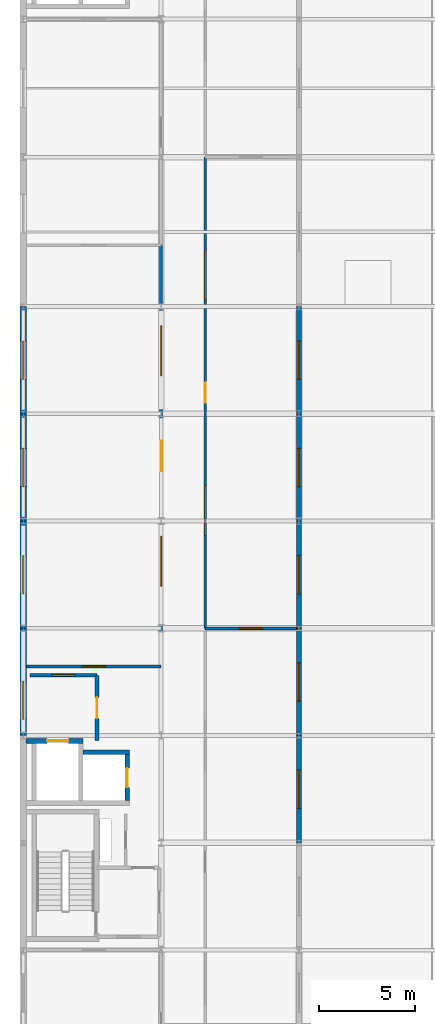
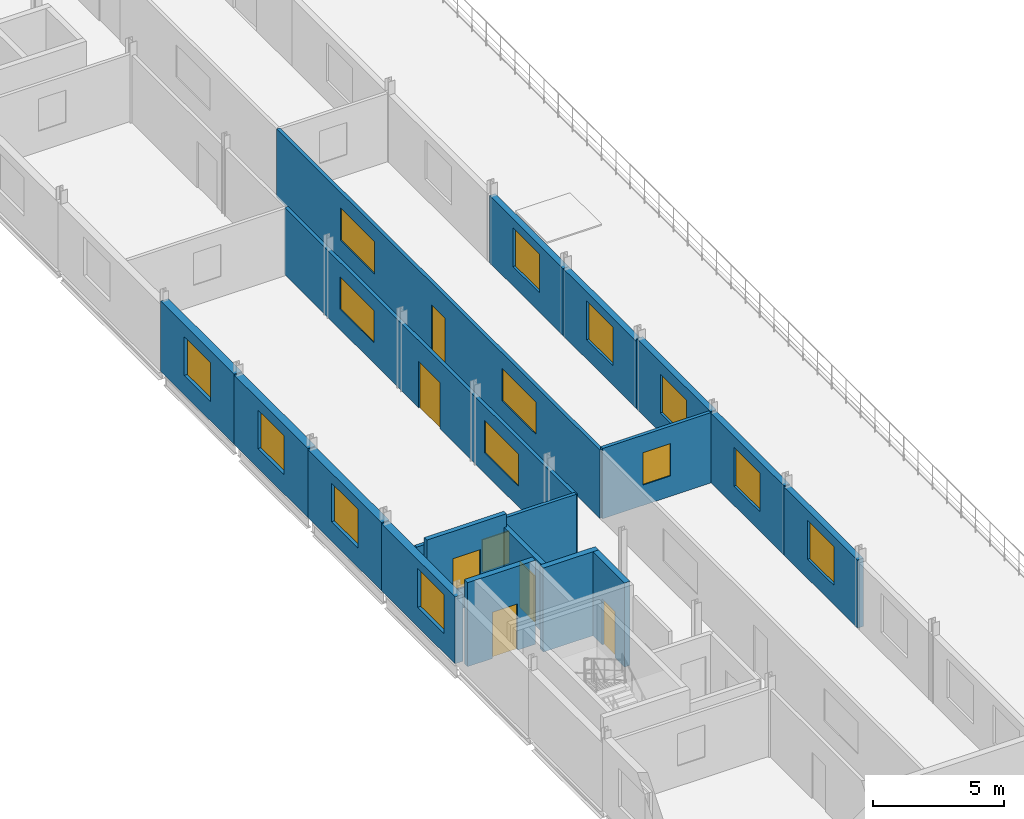
# One storey, part 8 of 14: 18 walls, 16 windows, 5 doors, 21 openings.
"""IFC4 building model written with IfcOpenShell, lengths in metres."""

from ifc_helpers import new_model, si_unit, direction, frame, frame_2d, origin, place, context, subcontext, project, spatial, rectangle, extrude, material, layer, layer_set, type_object, element, fill, save


model = new_model("IFC4")

# Units and contexts
model_context = context("Model", 3, precision=1e-05, world=origin(), true_north=direction((0.0, 1.0)))
body_context = subcontext(model_context, "Body", "Model", "MODEL_VIEW")
ifc_project = project(units=[si_unit("LENGTHUNIT", "METRE"), si_unit("AREAUNIT", "SQUARE_METRE"), si_unit("VOLUMEUNIT", "CUBIC_METRE"), si_unit("PLANEANGLEUNIT", "RADIAN"), si_unit("MASSUNIT", "GRAM", prefix="KILO")], contexts=[model_context])

# Site, building, storey
site_placement = place(None, origin())
site = spatial("IfcSite", under=ifc_project, at=site_placement, CompositionType="ELEMENT")
building_placement = place(site_placement, origin())
building = spatial("IfcBuilding", under=site, at=building_placement, Name="Vinh Khe Railworks Police Headquarters", CompositionType="ELEMENT")
storey_placement = place(building_placement, frame((0.0, 0.0, 32.699951171875)))
storey = spatial("IfcBuildingStorey", under=building, at=storey_placement, Name="L08", CompositionType="ELEMENT", Elevation=32.699951171875)

# Wall, opening, door
ifc_material_1 = material(Name="Concrete C40/50 (B40)", Category="concrete")
ifc_layer_1 = layer(ifc_material_1, 0.25)
ifc_layer_set_1 = layer_set([ifc_layer_1], Name="Concrete C40/50 (B40)")
wall_type_1 = type_object("IfcWallType", Name="Core Shear Wall 250", PredefinedType="SHEAR", material=ifc_layer_set_1)
wall_1_placement = place(storey_placement, frame((0.75, 36.125, 0.0), z_axis=(0.0, 0.0, 1.0), x_axis=(1.0, 0.0, 0.0)))
wall_1 = element("IfcWall", 1, at=wall_1_placement, inside=storey, type_object=wall_type_1, Name="Core C1 FL-N Lift Shaft Wall (L08)", PredefinedType="SHEAR", context=body_context, shape_type="SweptSolid", body=[
    extrude(rectangle(XDim=2.97509765625, YDim=0.25, at=frame_2d((1.487548828125, 0.0))), origin(), (0.0, 0.0, 1.0), 3.900146484375),
])
opening_1_placement = place(wall_1_placement, frame((1.10009765625, 0.0, 0.0)))
opening_1 = element("IfcOpeningElement", 2, at=opening_1_placement, cuts=wall_1, Name="Opening LD-01", PredefinedType="OPENING", context=body_context, shape_type="SweptSolid", body=[
    extrude(rectangle(XDim=1.10009765625, YDim=2.14990234375, at=frame_2d((0.550048828125, 1.074951171875))), frame((0.0, 0.139892578125, 0.0), z_axis=(0.0, -1.0, 0.0), x_axis=(1.0, 0.0, 0.0)), (0.0, 0.0, 1.0), 0.27978515625),
])
ifc_material_2 = material(Name="Painted galvanised steel", Category="steel")
door_type_1 = type_object("IfcDoorType", Name="LD-FF-1100", OperationType="SLIDING_TO_LEFT", PredefinedType="DOOR", material=ifc_material_2)
door_1_placement = place(opening_1_placement, origin())
door_1 = element("IfcDoor", 3, at=door_1_placement, inside=storey, type_object=door_type_1, Name="Firefighting Lift Landing Door FL-01 L08", OperationType="SLIDING_TO_LEFT", OverallHeight=2.14990234375, OverallWidth=1.10009765625, PredefinedType="DOOR", context=body_context, shape_type="SweptSolid", body=[
    extrude(rectangle(XDim=1.10009765625, YDim=2.14990234375, at=frame_2d((0.550048828125, 1.074951171875))), frame((0.0, 0.02490234375, 0.0), z_axis=(0.0, -1.0, 0.0), x_axis=(1.0, 0.0, 0.0)), (0.0, 0.0, 1.0), 0.050048828125),
])
fill(opening_1, door_1)

# Wall
wall_2_placement = place(storey_placement, frame((3.72509765625, 35.52490234375, 0.0), z_axis=(0.0, 0.0, 1.0), x_axis=(1.0, 0.0, 0.0)))
element("IfcWall", 4, at=wall_2_placement, inside=storey, type_object=wall_type_1, Name="Core C1 PL-N Lift Shaft Wall (L08)", PredefinedType="SHEAR", context=body_context, shape_type="SweptSolid", body=[
    extrude(rectangle(XDim=2.4248046875, YDim=0.25, at=frame_2d((1.21240234375, 0.0))), origin(), (0.0, 0.0, 1.0), 3.900146484375),
])

# Wall, opening, door
wall_3_placement = place(storey_placement, frame((6.02490234375, 33.0, 0.0), z_axis=(0.0, 0.0, 1.0), x_axis=(0.0, 1.0, 0.0)))
wall_3 = element("IfcWall", 5, at=wall_3_placement, inside=storey, type_object=wall_type_1, Name="Core C1 PL-E Lift Shaft Wall (L08)", PredefinedType="SHEAR", context=body_context, shape_type="SweptSolid", body=[
    extrude(rectangle(XDim=2.39990234375, YDim=0.25, at=frame_2d((1.199951171875, 0.0))), origin(), (0.0, 0.0, 1.0), 3.900146484375),
])
opening_2_placement = place(wall_3_placement, frame((0.699951171875, 0.0, 0.0)))
opening_2 = element("IfcOpeningElement", 6, at=opening_2_placement, cuts=wall_3, Name="Opening LD-02", PredefinedType="OPENING", context=body_context, shape_type="SweptSolid", body=[
    extrude(rectangle(XDim=1.0, YDim=2.14990234375, at=frame_2d((0.5, 1.074951171875))), frame((0.0, 0.139892578125, 0.0), z_axis=(0.0, -1.0, 0.0), x_axis=(1.0, 0.0, 0.0)), (0.0, 0.0, 1.0), 0.27978515625),
])
door_type_2 = type_object("IfcDoorType", Name="LD-PAX-1000", OperationType="SLIDING_TO_RIGHT", PredefinedType="DOOR", material=ifc_material_2)
door_2_placement = place(opening_2_placement, frame((1.0, 0.0, 0.0), z_axis=(0.0, 0.0, 1.0), x_axis=(-1.0, 0.0, 0.0)))
door_2 = element("IfcDoor", 7, at=door_2_placement, inside=storey, type_object=door_type_2, Name="Passenger Lift Landing Door PL-01 L08", OperationType="SLIDING_TO_RIGHT", OverallHeight=2.14990234375, OverallWidth=1.0, PredefinedType="DOOR", context=body_context, shape_type="SweptSolid", body=[
    extrude(rectangle(XDim=1.0, YDim=2.14990234375, at=frame_2d((0.5, 1.074951171875))), frame((0.0, 0.02490234375, 0.0), z_axis=(0.0, -1.0, 0.0), x_axis=(1.0, 0.0, 0.0)), (0.0, 0.0, 1.0), 0.050048828125),
])
fill(opening_2, door_2)

# Wall, opening, window
ifc_material_3 = material(Name="Clay brickwork", Category="masonry")
ifc_layer_2 = layer(ifc_material_3, 0.260009765625)
ifc_layer_set_2 = layer_set([ifc_layer_2], Name="Clay brickwork")
wall_type_2 = type_object("IfcWallType", Name="EW-BRK-260", PredefinedType="SOLIDWALL", material=ifc_layer_set_2)
wall_4_placement = place(storey_placement, frame((15.0, 30.800048828125, 0.0), z_axis=(0.0, 0.0, 1.0), x_axis=(0.0, 1.0, 0.0)))
wall_4 = element("IfcWall", 8, at=wall_4_placement, inside=storey, type_object=wall_type_2, Name="Exterior Brick Wall EW-L08-V5E-03", PredefinedType="SOLIDWALL", context=body_context, shape_type="SweptSolid", body=[
    extrude(rectangle(XDim=5.599853515625, YDim=0.260009765625, at=frame_2d((2.7998046875, 0.0))), origin(), (0.0, 0.0, 1.0), 3.1650390625),
])
opening_3_placement = place(wall_4_placement, frame((1.800048828125, 0.0, 0.89990234375)))
opening_3 = element("IfcOpeningElement", 9, at=opening_3_placement, cuts=wall_4, Name="Opening WN-04", PredefinedType="OPENING", context=body_context, shape_type="SweptSolid", body=[
    extrude(rectangle(XDim=2.0, YDim=1.800048828125, at=frame_2d((1.0, 0.89990234375))), frame((0.0, 0.14501953125, 0.0), z_axis=(0.0, -1.0, 0.0), x_axis=(1.0, 0.0, 0.0)), (0.0, 0.0, 1.0), 0.289794921875),
])
ifc_material_4 = material(Name="Double-glazed solar-control glass in dark steel frame", Category="steel")
window_type_1 = type_object("IfcWindowType", Name="WIN-WN-04", PartitioningType="DOUBLE_PANEL_VERTICAL", PredefinedType="WINDOW", material=ifc_material_4)
window_1_placement = place(opening_3_placement, origin())
window_1 = element("IfcWindow", 10, at=window_1_placement, inside=storey, type_object=window_type_1, Name="Casement Window WN-04", OverallHeight=1.800048828125, OverallWidth=2.0, PartitioningType="SINGLE_PANEL", PredefinedType="WINDOW", context=body_context, shape_type="SweptSolid", body=[
    extrude(rectangle(XDim=2.0, YDim=1.800048828125, at=frame_2d((1.0, 0.89990234375))), frame((0.0, 0.030029296875, 0.0), z_axis=(0.0, -1.0, 0.0), x_axis=(1.0, 0.0, 0.0)), (0.0, 0.0, 1.0), 0.06005859375),
])
fill(opening_3, window_1)

wall_5_placement = place(storey_placement, frame((15.0, 36.39990234375, 0.0), z_axis=(0.0, 0.0, 1.0), x_axis=(0.0, 1.0, 0.0)))
wall_5 = element("IfcWall", 11, at=wall_5_placement, inside=storey, type_object=wall_type_2, Name="Exterior Brick Wall EW-L08-V5E-04", PredefinedType="SOLIDWALL", context=body_context, shape_type="SweptSolid", body=[
    extrude(rectangle(XDim=5.60009765625, YDim=0.260009765625, at=frame_2d((2.800048828125, 0.0))), origin(), (0.0, 0.0, 1.0), 3.215087890625),
])
opening_4_placement = place(wall_5_placement, frame((1.800048828125, 0.0, 0.89990234375)))
opening_4 = element("IfcOpeningElement", 12, at=opening_4_placement, cuts=wall_5, Name="Opening WN-04", PredefinedType="OPENING", context=body_context, shape_type="SweptSolid", body=[
    extrude(rectangle(XDim=2.0, YDim=1.800048828125, at=frame_2d((1.0, 0.89990234375))), frame((0.0, 0.14501953125, 0.0), z_axis=(0.0, -1.0, 0.0), x_axis=(1.0, 0.0, 0.0)), (0.0, 0.0, 1.0), 0.289794921875),
])
window_2_placement = place(opening_4_placement, origin())
window_2 = element("IfcWindow", 13, at=window_2_placement, inside=storey, type_object=window_type_1, Name="Casement Window WN-04", OverallHeight=1.800048828125, OverallWidth=2.0, PartitioningType="SINGLE_PANEL", PredefinedType="WINDOW", context=body_context, shape_type="SweptSolid", body=[
    extrude(rectangle(XDim=2.0, YDim=1.800048828125, at=frame_2d((1.0, 0.89990234375))), frame((0.0, 0.030029296875, 0.0), z_axis=(0.0, -1.0, 0.0), x_axis=(1.0, 0.0, 0.0)), (0.0, 0.0, 1.0), 0.06005859375),
])
fill(opening_4, window_2)

wall_6_placement = place(storey_placement, frame((15.0, 42.0, 0.0), z_axis=(0.0, 0.0, 1.0), x_axis=(0.0, 1.0, 0.0)))
wall_6 = element("IfcWall", 14, at=wall_6_placement, inside=storey, type_object=wall_type_2, Name="Exterior Brick Wall EW-L08-V5E-05", PredefinedType="SOLIDWALL", context=body_context, shape_type="SweptSolid", body=[
    extrude(rectangle(XDim=5.60009765625, YDim=0.260009765625, at=frame_2d((2.800048828125, 0.0))), origin(), (0.0, 0.0, 1.0), 3.26513671875),
])
opening_5_placement = place(wall_6_placement, frame((1.800048828125, 0.0, 0.89990234375)))
opening_5 = element("IfcOpeningElement", 15, at=opening_5_placement, cuts=wall_6, Name="Opening WN-04", PredefinedType="OPENING", context=body_context, shape_type="SweptSolid", body=[
    extrude(rectangle(XDim=2.0, YDim=1.800048828125, at=frame_2d((1.0, 0.89990234375))), frame((0.0, 0.14501953125, 0.0), z_axis=(0.0, -1.0, 0.0), x_axis=(1.0, 0.0, 0.0)), (0.0, 0.0, 1.0), 0.289794921875),
])
window_3_placement = place(opening_5_placement, origin())
window_3 = element("IfcWindow", 16, at=window_3_placement, inside=storey, type_object=window_type_1, Name="Casement Window WN-04", OverallHeight=1.800048828125, OverallWidth=2.0, PartitioningType="SINGLE_PANEL", PredefinedType="WINDOW", context=body_context, shape_type="SweptSolid", body=[
    extrude(rectangle(XDim=2.0, YDim=1.800048828125, at=frame_2d((1.0, 0.89990234375))), frame((0.0, 0.030029296875, 0.0), z_axis=(0.0, -1.0, 0.0), x_axis=(1.0, 0.0, 0.0)), (0.0, 0.0, 1.0), 0.06005859375),
])
fill(opening_5, window_3)

wall_7_placement = place(storey_placement, frame((15.0, 47.60009765625, 0.0), z_axis=(0.0, 0.0, 1.0), x_axis=(0.0, 1.0, 0.0)))
wall_7 = element("IfcWall", 17, at=wall_7_placement, inside=storey, type_object=wall_type_2, Name="Exterior Brick Wall EW-L08-V5E-06", PredefinedType="SOLIDWALL", context=body_context, shape_type="SweptSolid", body=[
    extrude(rectangle(XDim=5.599853515625, YDim=0.260009765625, at=frame_2d((2.7998046875, 0.0))), origin(), (0.0, 0.0, 1.0), 3.114990234375),
])
opening_6_placement = place(wall_7_placement, frame((1.800048828125, 0.0, 0.89990234375)))
opening_6 = element("IfcOpeningElement", 18, at=opening_6_placement, cuts=wall_7, Name="Opening WN-04", PredefinedType="OPENING", context=body_context, shape_type="SweptSolid", body=[
    extrude(rectangle(XDim=2.0, YDim=1.800048828125, at=frame_2d((1.0, 0.89990234375))), frame((0.0, 0.14501953125, 0.0), z_axis=(0.0, -1.0, 0.0), x_axis=(1.0, 0.0, 0.0)), (0.0, 0.0, 1.0), 0.289794921875),
])
window_4_placement = place(opening_6_placement, origin())
window_4 = element("IfcWindow", 19, at=window_4_placement, inside=storey, type_object=window_type_1, Name="Casement Window WN-04", OverallHeight=1.800048828125, OverallWidth=2.0, PartitioningType="SINGLE_PANEL", PredefinedType="WINDOW", context=body_context, shape_type="SweptSolid", body=[
    extrude(rectangle(XDim=2.0, YDim=1.800048828125, at=frame_2d((1.0, 0.89990234375))), frame((0.0, 0.030029296875, 0.0), z_axis=(0.0, -1.0, 0.0), x_axis=(1.0, 0.0, 0.0)), (0.0, 0.0, 1.0), 0.06005859375),
])
fill(opening_6, window_4)

wall_8_placement = place(storey_placement, frame((15.0, 53.199951171875, 0.0), z_axis=(0.0, 0.0, 1.0), x_axis=(0.0, 1.0, 0.0)))
wall_8 = element("IfcWall", 20, at=wall_8_placement, inside=storey, type_object=wall_type_2, Name="Exterior Brick Wall EW-L08-V5E-07", PredefinedType="SOLIDWALL", context=body_context, shape_type="SweptSolid", body=[
    extrude(rectangle(XDim=5.60009765625, YDim=0.260009765625, at=frame_2d((2.800048828125, 0.0))), origin(), (0.0, 0.0, 1.0), 3.114990234375),
])
opening_7_placement = place(wall_8_placement, frame((1.800048828125, 0.0, 0.89990234375)))
opening_7 = element("IfcOpeningElement", 21, at=opening_7_placement, cuts=wall_8, Name="Opening WN-04", PredefinedType="OPENING", context=body_context, shape_type="SweptSolid", body=[
    extrude(rectangle(XDim=2.0, YDim=1.800048828125, at=frame_2d((1.0, 0.89990234375))), frame((0.0, 0.14501953125, 0.0), z_axis=(0.0, -1.0, 0.0), x_axis=(1.0, 0.0, 0.0)), (0.0, 0.0, 1.0), 0.289794921875),
])
window_5_placement = place(opening_7_placement, origin())
window_5 = element("IfcWindow", 22, at=window_5_placement, inside=storey, type_object=window_type_1, Name="Casement Window WN-04", OverallHeight=1.800048828125, OverallWidth=2.0, PartitioningType="SINGLE_PANEL", PredefinedType="WINDOW", context=body_context, shape_type="SweptSolid", body=[
    extrude(rectangle(XDim=2.0, YDim=1.800048828125, at=frame_2d((1.0, 0.89990234375))), frame((0.0, 0.030029296875, 0.0), z_axis=(0.0, -1.0, 0.0), x_axis=(1.0, 0.0, 0.0)), (0.0, 0.0, 1.0), 0.06005859375),
])
fill(opening_7, window_5)

ifc_layer_3 = layer(ifc_material_3, 0.340087890625)
ifc_layer_set_3 = layer_set([ifc_layer_3], Name="Clay brickwork")
wall_type_3 = type_object("IfcWallType", Name="EW-BRK-340", PredefinedType="SOLIDWALL", material=ifc_layer_set_3)
wall_9_placement = place(storey_placement, frame((0.60009765625, 36.39990234375, 0.0), z_axis=(0.0, 0.0, 1.0), x_axis=(0.0, 1.0, 0.0)))
wall_9 = element("IfcWall", 23, at=wall_9_placement, inside=storey, type_object=wall_type_3, Name="Exterior Brick Wall EW-L08-V5W-04", PredefinedType="SOLIDWALL", context=body_context, shape_type="SweptSolid", body=[
    extrude(rectangle(XDim=5.60009765625, YDim=0.340087890625, at=frame_2d((2.800048828125, 0.0))), origin(), (0.0, 0.0, 1.0), 3.114990234375),
])
opening_8_placement = place(wall_9_placement, frame((0.85009765625, 0.0, 0.89990234375)))
opening_8 = element("IfcOpeningElement", 24, at=opening_8_placement, cuts=wall_9, Name="Opening WN-04", PredefinedType="OPENING", context=body_context, shape_type="SweptSolid", body=[
    extrude(rectangle(XDim=2.0, YDim=1.800048828125, at=frame_2d((1.0, 0.89990234375))), frame((0.0, 0.18505859375, 0.0), z_axis=(0.0, -1.0, 0.0), x_axis=(1.0, 0.0, 0.0)), (0.0, 0.0, 1.0), 0.369873046875),
])
window_6_placement = place(opening_8_placement, origin())
window_6 = element("IfcWindow", 25, at=window_6_placement, inside=storey, type_object=window_type_1, Name="Casement Window WN-04", OverallHeight=1.800048828125, OverallWidth=2.0, PartitioningType="SINGLE_PANEL", PredefinedType="WINDOW", context=body_context, shape_type="SweptSolid", body=[
    extrude(rectangle(XDim=2.0, YDim=1.800048828125, at=frame_2d((1.0, 0.89990234375))), frame((0.0, 0.030029296875, 0.0), z_axis=(0.0, -1.0, 0.0), x_axis=(1.0, 0.0, 0.0)), (0.0, 0.0, 1.0), 0.06005859375),
])
fill(opening_8, window_6)

wall_10_placement = place(storey_placement, frame((0.60009765625, 42.0, 0.0), z_axis=(0.0, 0.0, 1.0), x_axis=(0.0, 1.0, 0.0)))
wall_10 = element("IfcWall", 26, at=wall_10_placement, inside=storey, type_object=wall_type_3, Name="Exterior Brick Wall EW-L08-V5W-05", PredefinedType="SOLIDWALL", context=body_context, shape_type="SweptSolid", body=[
    extrude(rectangle(XDim=5.60009765625, YDim=0.340087890625, at=frame_2d((2.800048828125, 0.0))), origin(), (0.0, 0.0, 1.0), 3.1650390625),
])
opening_9_placement = place(wall_10_placement, frame((1.800048828125, 0.0, 0.89990234375)))
opening_9 = element("IfcOpeningElement", 27, at=opening_9_placement, cuts=wall_10, Name="Opening WN-04", PredefinedType="OPENING", context=body_context, shape_type="SweptSolid", body=[
    extrude(rectangle(XDim=2.0, YDim=1.800048828125, at=frame_2d((1.0, 0.89990234375))), frame((0.0, 0.18505859375, 0.0), z_axis=(0.0, -1.0, 0.0), x_axis=(1.0, 0.0, 0.0)), (0.0, 0.0, 1.0), 0.369873046875),
])
window_7_placement = place(opening_9_placement, origin())
window_7 = element("IfcWindow", 28, at=window_7_placement, inside=storey, type_object=window_type_1, Name="Casement Window WN-04", OverallHeight=1.800048828125, OverallWidth=2.0, PartitioningType="SINGLE_PANEL", PredefinedType="WINDOW", context=body_context, shape_type="SweptSolid", body=[
    extrude(rectangle(XDim=2.0, YDim=1.800048828125, at=frame_2d((1.0, 0.89990234375))), frame((0.0, 0.030029296875, 0.0), z_axis=(0.0, -1.0, 0.0), x_axis=(1.0, 0.0, 0.0)), (0.0, 0.0, 1.0), 0.06005859375),
])
fill(opening_9, window_7)

wall_11_placement = place(storey_placement, frame((0.60009765625, 47.60009765625, 0.0), z_axis=(0.0, 0.0, 1.0), x_axis=(0.0, 1.0, 0.0)))
wall_11 = element("IfcWall", 29, at=wall_11_placement, inside=storey, type_object=wall_type_3, Name="Exterior Brick Wall EW-L08-V5W-06", PredefinedType="SOLIDWALL", context=body_context, shape_type="SweptSolid", body=[
    extrude(rectangle(XDim=5.599853515625, YDim=0.340087890625, at=frame_2d((2.7998046875, 0.0))), origin(), (0.0, 0.0, 1.0), 3.215087890625),
])
opening_10_placement = place(wall_11_placement, frame((1.800048828125, 0.0, 0.89990234375)))
opening_10 = element("IfcOpeningElement", 30, at=opening_10_placement, cuts=wall_11, Name="Opening WN-04", PredefinedType="OPENING", context=body_context, shape_type="SweptSolid", body=[
    extrude(rectangle(XDim=2.0, YDim=1.800048828125, at=frame_2d((1.0, 0.89990234375))), frame((0.0, 0.18505859375, 0.0), z_axis=(0.0, -1.0, 0.0), x_axis=(1.0, 0.0, 0.0)), (0.0, 0.0, 1.0), 0.369873046875),
])
window_8_placement = place(opening_10_placement, origin())
window_8 = element("IfcWindow", 31, at=window_8_placement, inside=storey, type_object=window_type_1, Name="Casement Window WN-04", OverallHeight=1.800048828125, OverallWidth=2.0, PartitioningType="SINGLE_PANEL", PredefinedType="WINDOW", context=body_context, shape_type="SweptSolid", body=[
    extrude(rectangle(XDim=2.0, YDim=1.800048828125, at=frame_2d((1.0, 0.89990234375))), frame((0.0, 0.030029296875, 0.0), z_axis=(0.0, -1.0, 0.0), x_axis=(1.0, 0.0, 0.0)), (0.0, 0.0, 1.0), 0.06005859375),
])
fill(opening_10, window_8)

wall_12_placement = place(storey_placement, frame((0.60009765625, 53.199951171875, 0.0), z_axis=(0.0, 0.0, 1.0), x_axis=(0.0, 1.0, 0.0)))
wall_12 = element("IfcWall", 32, at=wall_12_placement, inside=storey, type_object=wall_type_3, Name="Exterior Brick Wall EW-L08-V5W-07", PredefinedType="SOLIDWALL", context=body_context, shape_type="SweptSolid", body=[
    extrude(rectangle(XDim=5.60009765625, YDim=0.340087890625, at=frame_2d((2.800048828125, 0.0))), origin(), (0.0, 0.0, 1.0), 3.26513671875),
])
opening_11_placement = place(wall_12_placement, frame((1.800048828125, 0.0, 0.89990234375)))
opening_11 = element("IfcOpeningElement", 33, at=opening_11_placement, cuts=wall_12, Name="Opening WN-04", PredefinedType="OPENING", context=body_context, shape_type="SweptSolid", body=[
    extrude(rectangle(XDim=2.0, YDim=1.800048828125, at=frame_2d((1.0, 0.89990234375))), frame((0.0, 0.18505859375, 0.0), z_axis=(0.0, -1.0, 0.0), x_axis=(1.0, 0.0, 0.0)), (0.0, 0.0, 1.0), 0.369873046875),
])
window_9_placement = place(opening_11_placement, origin())
window_9 = element("IfcWindow", 34, at=window_9_placement, inside=storey, type_object=window_type_1, Name="Casement Window WN-04", OverallHeight=1.800048828125, OverallWidth=2.0, PartitioningType="SINGLE_PANEL", PredefinedType="WINDOW", context=body_context, shape_type="SweptSolid", body=[
    extrude(rectangle(XDim=2.0, YDim=1.800048828125, at=frame_2d((1.0, 0.89990234375))), frame((0.0, 0.030029296875, 0.0), z_axis=(0.0, -1.0, 0.0), x_axis=(1.0, 0.0, 0.0)), (0.0, 0.0, 1.0), 0.06005859375),
])
fill(opening_11, window_9)

ifc_material_5 = material(Name="Autoclaved aerated concrete blockwork", Category="masonry")
ifc_layer_4 = layer(ifc_material_5, 0.199951171875)
ifc_layer_set_4 = layer_set([ifc_layer_4], Name="Autoclaved aerated concrete blockwork")
wall_type_4 = type_object("IfcWallType", Name="IW-BLK-200", PredefinedType="PARTITIONING", material=ifc_layer_set_4)
wall_13_placement = place(storey_placement, frame((0.949951171875, 39.550048828125, 0.0), z_axis=(0.0, 0.0, 1.0), x_axis=(1.0, 0.0, 0.0)))
wall_13 = element("IfcWall", 35, at=wall_13_placement, inside=storey, type_object=wall_type_4, Name="Interior Partition W-FFL-C1-N-L08", PredefinedType="PARTITIONING", context=body_context, shape_type="SweptSolid", body=[
    extrude(rectangle(XDim=3.5, YDim=0.199951171875, at=frame_2d((1.75, 0.0))), origin(), (0.0, 0.0, 1.0), 3.715087890625),
])
opening_12_placement = place(wall_13_placement, frame((1.14990234375, 0.0, 0.949951171875)))
opening_12 = element("IfcOpeningElement", 36, at=opening_12_placement, cuts=wall_13, Name="Opening WN-10", PredefinedType="OPENING", context=body_context, shape_type="SweptSolid", body=[
    extrude(rectangle(XDim=1.199951171875, YDim=1.5, at=frame_2d((0.60009765625, 0.75))), frame((0.0, 0.11474609375, 0.0), z_axis=(0.0, -1.0, 0.0), x_axis=(1.0, 0.0, 0.0)), (0.0, 0.0, 1.0), 0.229736328125),
])
window_type_2 = type_object("IfcWindowType", Name="WIN-WN-10", PartitioningType="SINGLE_PANEL", PredefinedType="WINDOW", material=ifc_material_4)
window_10_placement = place(opening_12_placement, origin())
window_10 = element("IfcWindow", 37, at=window_10_placement, inside=storey, type_object=window_type_2, Name="Interior Acoustic Vision Window WN-10", OverallHeight=1.5, OverallWidth=1.199951171875, PartitioningType="SINGLE_PANEL", PredefinedType="WINDOW", context=body_context, shape_type="SweptSolid", body=[
    extrude(rectangle(XDim=1.199951171875, YDim=1.5, at=frame_2d((0.60009765625, 0.75))), frame((0.0, 0.030029296875, 0.0), z_axis=(0.0, -1.0, 0.0), x_axis=(1.0, 0.0, 0.0)), (0.0, 0.0, 1.0), 0.06005859375),
])
fill(opening_12, window_10)

# Wall, opening, door
wall_14_placement = place(storey_placement, frame((4.449951171875, 36.14990234375, 0.0), z_axis=(0.0, 0.0, 1.0), x_axis=(0.0, 1.0, 0.0)))
wall_14 = element("IfcWall", 38, at=wall_14_placement, inside=storey, type_object=wall_type_4, Name="Interior Partition W-FFL-C1-E-L08", PredefinedType="PARTITIONING", context=body_context, shape_type="SweptSolid", body=[
    extrude(rectangle(XDim=3.400146484375, YDim=0.199951171875, at=frame_2d((1.7001953125, 0.0))), origin(), (0.0, 0.0, 1.0), 3.114990234375),
])
opening_13_placement = place(wall_14_placement, frame((1.14990234375, 0.0, 0.0)))
opening_13 = element("IfcOpeningElement", 39, at=opening_13_placement, cuts=wall_14, Name="Opening FD-01", PredefinedType="OPENING", context=body_context, shape_type="SweptSolid", body=[
    extrude(rectangle(XDim=1.10009765625, YDim=2.14990234375, at=frame_2d((0.550048828125, 1.074951171875))), frame((0.0, 0.11474609375, 0.0), z_axis=(0.0, -1.0, 0.0), x_axis=(1.0, 0.0, 0.0)), (0.0, 0.0, 1.0), 0.229736328125),
])
door_type_3 = type_object("IfcDoorType", Name="FD-1100x2150", OperationType="NOTDEFINED", PredefinedType="DOOR", material=ifc_material_2)
door_3_placement = place(opening_13_placement, origin())
door_3 = element("IfcDoor", 40, at=door_3_placement, inside=storey, type_object=door_type_3, Name="Firefighting Lobby Exit Door", OperationType="SINGLE_SWING_RIGHT", OverallHeight=2.14990234375, OverallWidth=1.10009765625, PredefinedType="DOOR", context=body_context, shape_type="SweptSolid", body=[
    extrude(rectangle(XDim=1.10009765625, YDim=2.14990234375, at=frame_2d((0.550048828125, 1.074951171875))), frame((0.0, 0.02490234375, 0.0), z_axis=(0.0, -1.0, 0.0), x_axis=(1.0, 0.0, 0.0)), (0.0, 0.0, 1.0), 0.050048828125),
])
fill(opening_13, door_3)

# Wall, opening, window
ifc_material_6 = material(Name="Gypsum plasterboard on steel stud", Category="steel")
ifc_layer_5 = layer(ifc_material_6, 0.1201171875)
ifc_layer_set_5 = layer_set([ifc_layer_5], Name="Gypsum plasterboard on steel stud")
wall_type_5 = type_object("IfcWallType", Name="IW-PART-120", PredefinedType="PARTITIONING", material=ifc_layer_set_5)
wall_15_placement = place(storey_placement, frame((0.780029296875, 40.0, 0.0), z_axis=(0.0, 0.0, 1.0), x_axis=(1.0, 0.0, 0.0)))
wall_15 = element("IfcWall", 41, at=wall_15_placement, inside=storey, type_object=wall_type_5, Name="Interior Partition W-L08-V5-SIT8-DIV", PredefinedType="PARTITIONING", context=body_context, shape_type="SweptSolid", body=[
    extrude(rectangle(XDim=7.02001953125, YDim=0.14990234375, at=frame_2d((3.510009765625, 0.0))), origin(), (0.0, 0.0, 1.0), 3.1650390625),
])
opening_14_placement = place(wall_15_placement, frame((2.909912109375, 0.0, 0.949951171875)))
opening_14 = element("IfcOpeningElement", 42, at=opening_14_placement, cuts=wall_15, Name="Opening WN-10", PredefinedType="OPENING", context=body_context, shape_type="SweptSolid", body=[
    extrude(rectangle(XDim=1.199951171875, YDim=1.5, at=frame_2d((0.60009765625, 0.75))), frame((0.0, 0.08984375, 0.0), z_axis=(0.0, -1.0, 0.0), x_axis=(1.0, 0.0, 0.0)), (0.0, 0.0, 1.0), 0.1796875),
])
window_11_placement = place(opening_14_placement, origin())
window_11 = element("IfcWindow", 43, at=window_11_placement, inside=storey, type_object=window_type_2, Name="Interior Acoustic Vision Window WN-10", OverallHeight=1.5, OverallWidth=1.199951171875, PartitioningType="SINGLE_PANEL", PredefinedType="WINDOW", context=body_context, shape_type="SweptSolid", body=[
    extrude(rectangle(XDim=1.199951171875, YDim=1.5, at=frame_2d((0.60009765625, 0.75))), frame((0.0, 0.030029296875, 0.0), z_axis=(0.0, -1.0, 0.0), x_axis=(1.0, 0.0, 0.0)), (0.0, 0.0, 1.0), 0.06005859375),
])
fill(opening_14, window_11)

wall_16_placement = place(storey_placement, frame((10.10009765625, 42.0, 0.0), z_axis=(0.0, 0.0, 1.0), x_axis=(1.0, 0.0, 0.0)))
wall_16 = element("IfcWall", 44, at=wall_16_placement, inside=storey, type_object=wall_type_5, Name="Interior Partition W-L08-V5-DEP8-DIV", PredefinedType="PARTITIONING", context=body_context, shape_type="SweptSolid", body=[
    extrude(rectangle(XDim=4.760009765625, YDim=0.14990234375, at=frame_2d((2.3798828125, 0.0))), origin(), (0.0, 0.0, 1.0), 3.26513671875),
])
opening_15_placement = place(wall_16_placement, frame((1.780029296875, 0.0, 0.949951171875)))
opening_15 = element("IfcOpeningElement", 45, at=opening_15_placement, cuts=wall_16, Name="Opening WN-10", PredefinedType="OPENING", context=body_context, shape_type="SweptSolid", body=[
    extrude(rectangle(XDim=1.199951171875, YDim=1.5, at=frame_2d((0.60009765625, 0.75))), frame((0.0, 0.08984375, 0.0), z_axis=(0.0, -1.0, 0.0), x_axis=(1.0, 0.0, 0.0)), (0.0, 0.0, 1.0), 0.1796875),
])
window_12_placement = place(opening_15_placement, origin())
window_12 = element("IfcWindow", 46, at=window_12_placement, inside=storey, type_object=window_type_2, Name="Interior Acoustic Vision Window WN-10", OverallHeight=1.5, OverallWidth=1.199951171875, PartitioningType="SINGLE_PANEL", PredefinedType="WINDOW", context=body_context, shape_type="SweptSolid", body=[
    extrude(rectangle(XDim=1.199951171875, YDim=1.5, at=frame_2d((0.60009765625, 0.75))), frame((0.0, 0.030029296875, 0.0), z_axis=(0.0, -1.0, 0.0), x_axis=(1.0, 0.0, 0.0)), (0.0, 0.0, 1.0), 0.06005859375),
])
fill(opening_15, window_12)

# Wall, openings, door, windows
ifc_material_7 = material(Name="Gypsum plasterboard on acoustic steel stud", Category="steel")
ifc_layer_6 = layer(ifc_material_7, 0.14990234375)
ifc_layer_set_6 = layer_set([ifc_layer_6], Name="Gypsum plasterboard on acoustic steel stud")
wall_type_6 = type_object("IfcWallType", Name="IW-PART-150", PredefinedType="PARTITIONING", material=ifc_layer_set_6)
wall_17_placement = place(storey_placement, frame((7.800048828125, 40.0, 0.0), z_axis=(0.0, 0.0, 1.0), x_axis=(0.0, 1.0, 0.0)))
wall_17 = element("IfcWall", 47, at=wall_17_placement, inside=storey, type_object=wall_type_6, Name="Interior Partition W-L08-V5-SIT8-CW", PredefinedType="PARTITIONING", context=body_context, shape_type="SweptSolid", body=[
    extrude(rectangle(XDim=22.0, YDim=0.14990234375, at=frame_2d((11.0, 0.0))), origin(), (0.0, 0.0, 1.0), 3.114990234375),
])
opening_16_placement = place(wall_17_placement, frame((10.199951171875, 0.0, 0.0)))
opening_16 = element("IfcOpeningElement", 48, at=opening_16_placement, cuts=wall_17, Name="Opening D-03", PredefinedType="OPENING", context=body_context, shape_type="SweptSolid", body=[
    extrude(rectangle(XDim=1.60009765625, YDim=2.14990234375, at=frame_2d((0.800048828125, 1.074951171875))), frame((0.0, 0.08984375, 0.0), z_axis=(0.0, -1.0, 0.0), x_axis=(1.0, 0.0, 0.0)), (0.0, 0.0, 1.0), 0.1796875),
])
opening_17_placement = place(wall_17_placement, frame((4.199951171875, 0.0, 0.949951171875)))
opening_17 = element("IfcOpeningElement", 49, at=opening_17_placement, cuts=wall_17, Name="Opening WN-07", PredefinedType="OPENING", context=body_context, shape_type="SweptSolid", body=[
    extrude(rectangle(XDim=2.60009765625, YDim=1.5, at=frame_2d((1.300048828125, 0.75))), frame((0.0, 0.08984375, 0.0), z_axis=(0.0, -1.0, 0.0), x_axis=(1.0, 0.0, 0.0)), (0.0, 0.0, 1.0), 0.1796875),
])
opening_18_placement = place(wall_17_placement, frame((15.199951171875, 0.0, 0.949951171875)))
opening_18 = element("IfcOpeningElement", 50, at=opening_18_placement, cuts=wall_17, Name="Opening WN-07", PredefinedType="OPENING", context=body_context, shape_type="SweptSolid", body=[
    extrude(rectangle(XDim=2.60009765625, YDim=1.5, at=frame_2d((1.300048828125, 0.75))), frame((0.0, 0.08984375, 0.0), z_axis=(0.0, -1.0, 0.0), x_axis=(1.0, 0.0, 0.0)), (0.0, 0.0, 1.0), 0.1796875),
])
door_type_4 = type_object("IfcDoorType", Name="ID-1600x2150", OperationType="DOUBLE_DOOR_SINGLE_SWING", PredefinedType="DOOR", material=ifc_material_2)
door_4_placement = place(opening_16_placement, origin())
door_4 = element("IfcDoor", 51, at=door_4_placement, inside=storey, type_object=door_type_4, Name="Strategic Situation Room Door", OperationType="DOUBLE_DOOR_SINGLE_SWING", OverallHeight=2.14990234375, OverallWidth=1.60009765625, PredefinedType="DOOR", context=body_context, shape_type="SweptSolid", body=[
    extrude(rectangle(XDim=1.60009765625, YDim=2.14990234375, at=frame_2d((0.800048828125, 1.074951171875))), frame((0.0, 0.02490234375, 0.0), z_axis=(0.0, -1.0, 0.0), x_axis=(1.0, 0.0, 0.0)), (0.0, 0.0, 1.0), 0.050048828125),
])
fill(opening_16, door_4)
window_type_3 = type_object("IfcWindowType", Name="WIN-WN-07", PartitioningType="DOUBLE_PANEL_HORIZONTAL", PredefinedType="WINDOW", material=ifc_material_4)
window_13_placement = place(opening_17_placement, origin())
window_13 = element("IfcWindow", 52, at=window_13_placement, inside=storey, type_object=window_type_3, Name="Interior Acoustic Vision Window WN-07", OverallHeight=1.5, OverallWidth=2.60009765625, PartitioningType="SINGLE_PANEL", PredefinedType="WINDOW", context=body_context, shape_type="SweptSolid", body=[
    extrude(rectangle(XDim=2.60009765625, YDim=1.5, at=frame_2d((1.300048828125, 0.75))), frame((0.0, 0.030029296875, 0.0), z_axis=(0.0, -1.0, 0.0), x_axis=(1.0, 0.0, 0.0)), (0.0, 0.0, 1.0), 0.06005859375),
])
fill(opening_17, window_13)
window_14_placement = place(opening_18_placement, origin())
window_14 = element("IfcWindow", 53, at=window_14_placement, inside=storey, type_object=window_type_3, Name="Interior Acoustic Vision Window WN-07", OverallHeight=1.5, OverallWidth=2.60009765625, PartitioningType="SINGLE_PANEL", PredefinedType="WINDOW", context=body_context, shape_type="SweptSolid", body=[
    extrude(rectangle(XDim=2.60009765625, YDim=1.5, at=frame_2d((1.300048828125, 0.75))), frame((0.0, 0.030029296875, 0.0), z_axis=(0.0, -1.0, 0.0), x_axis=(1.0, 0.0, 0.0)), (0.0, 0.0, 1.0), 0.06005859375),
])
fill(opening_18, window_14)

wall_18_placement = place(storey_placement, frame((10.10009765625, 42.0, 0.0), z_axis=(0.0, 0.0, 1.0), x_axis=(0.0, 1.0, 0.0)))
wall_18 = element("IfcWall", 54, at=wall_18_placement, inside=storey, type_object=wall_type_6, Name="Interior Partition W-L08-V5-DEP8-CE", PredefinedType="PARTITIONING", context=body_context, shape_type="SweptSolid", body=[
    extrude(rectangle(XDim=24.60009765625, YDim=0.14990234375, at=frame_2d((12.300048828125, 0.0))), origin(), (0.0, 0.0, 1.0), 3.1650390625),
])
opening_19_placement = place(wall_18_placement, frame((11.77490234375, 0.0, 0.0)))
opening_19 = element("IfcOpeningElement", 55, at=opening_19_placement, cuts=wall_18, Name="Opening D-02", PredefinedType="OPENING", context=body_context, shape_type="SweptSolid", body=[
    extrude(rectangle(XDim=1.050048828125, YDim=2.14990234375, at=frame_2d((0.52490234375, 1.074951171875))), frame((0.0, 0.08984375, 0.0), z_axis=(0.0, -1.0, 0.0), x_axis=(1.0, 0.0, 0.0)), (0.0, 0.0, 1.0), 0.1796875),
])
opening_20_placement = place(wall_18_placement, frame((4.85009765625, 0.0, 0.949951171875)))
opening_20 = element("IfcOpeningElement", 56, at=opening_20_placement, cuts=wall_18, Name="Opening WN-07", PredefinedType="OPENING", context=body_context, shape_type="SweptSolid", body=[
    extrude(rectangle(XDim=2.60009765625, YDim=1.5, at=frame_2d((1.300048828125, 0.75))), frame((0.0, 0.08984375, 0.0), z_axis=(0.0, -1.0, 0.0), x_axis=(1.0, 0.0, 0.0)), (0.0, 0.0, 1.0), 0.1796875),
])
opening_21_placement = place(wall_18_placement, frame((17.14990234375, 0.0, 0.949951171875)))
opening_21 = element("IfcOpeningElement", 57, at=opening_21_placement, cuts=wall_18, Name="Opening WN-07", PredefinedType="OPENING", context=body_context, shape_type="SweptSolid", body=[
    extrude(rectangle(XDim=2.60009765625, YDim=1.5, at=frame_2d((1.300048828125, 0.75))), frame((0.0, 0.08984375, 0.0), z_axis=(0.0, -1.0, 0.0), x_axis=(1.0, 0.0, 0.0)), (0.0, 0.0, 1.0), 0.1796875),
])
ifc_material_8 = material(Name="Seasoned hardwood timber", Category="wood")
door_type_5 = type_object("IfcDoorType", Name="ID-1050x2150", OperationType="NOTDEFINED", PredefinedType="DOOR", material=ifc_material_8)
door_5_placement = place(opening_19_placement, origin())
door_5 = element("IfcDoor", 58, at=door_5_placement, inside=storey, type_object=door_type_5, Name="Deputy Commissioners Briefing Suite Door", OperationType="SINGLE_SWING_LEFT", OverallHeight=2.14990234375, OverallWidth=1.050048828125, PredefinedType="DOOR", context=body_context, shape_type="SweptSolid", body=[
    extrude(rectangle(XDim=1.050048828125, YDim=2.14990234375, at=frame_2d((0.52490234375, 1.074951171875))), frame((0.0, 0.02490234375, 0.0), z_axis=(0.0, -1.0, 0.0), x_axis=(1.0, 0.0, 0.0)), (0.0, 0.0, 1.0), 0.050048828125),
])
fill(opening_19, door_5)
window_15_placement = place(opening_20_placement, origin())
window_15 = element("IfcWindow", 59, at=window_15_placement, inside=storey, type_object=window_type_3, Name="Interior Acoustic Vision Window WN-07", OverallHeight=1.5, OverallWidth=2.60009765625, PartitioningType="SINGLE_PANEL", PredefinedType="WINDOW", context=body_context, shape_type="SweptSolid", body=[
    extrude(rectangle(XDim=2.60009765625, YDim=1.5, at=frame_2d((1.300048828125, 0.75))), frame((0.0, 0.030029296875, 0.0), z_axis=(0.0, -1.0, 0.0), x_axis=(1.0, 0.0, 0.0)), (0.0, 0.0, 1.0), 0.06005859375),
])
fill(opening_20, window_15)
window_16_placement = place(opening_21_placement, origin())
window_16 = element("IfcWindow", 60, at=window_16_placement, inside=storey, type_object=window_type_3, Name="Interior Acoustic Vision Window WN-07", OverallHeight=1.5, OverallWidth=2.60009765625, PartitioningType="SINGLE_PANEL", PredefinedType="WINDOW", context=body_context, shape_type="SweptSolid", body=[
    extrude(rectangle(XDim=2.60009765625, YDim=1.5, at=frame_2d((1.300048828125, 0.75))), frame((0.0, 0.030029296875, 0.0), z_axis=(0.0, -1.0, 0.0), x_axis=(1.0, 0.0, 0.0)), (0.0, 0.0, 1.0), 0.06005859375),
])
fill(opening_21, window_16)

save(model, "model.ifc")
